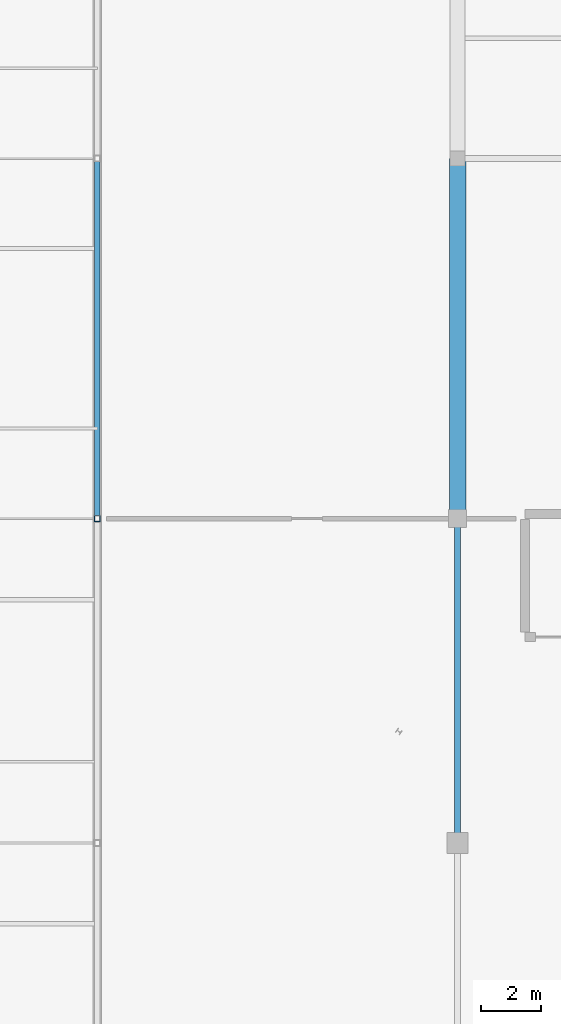
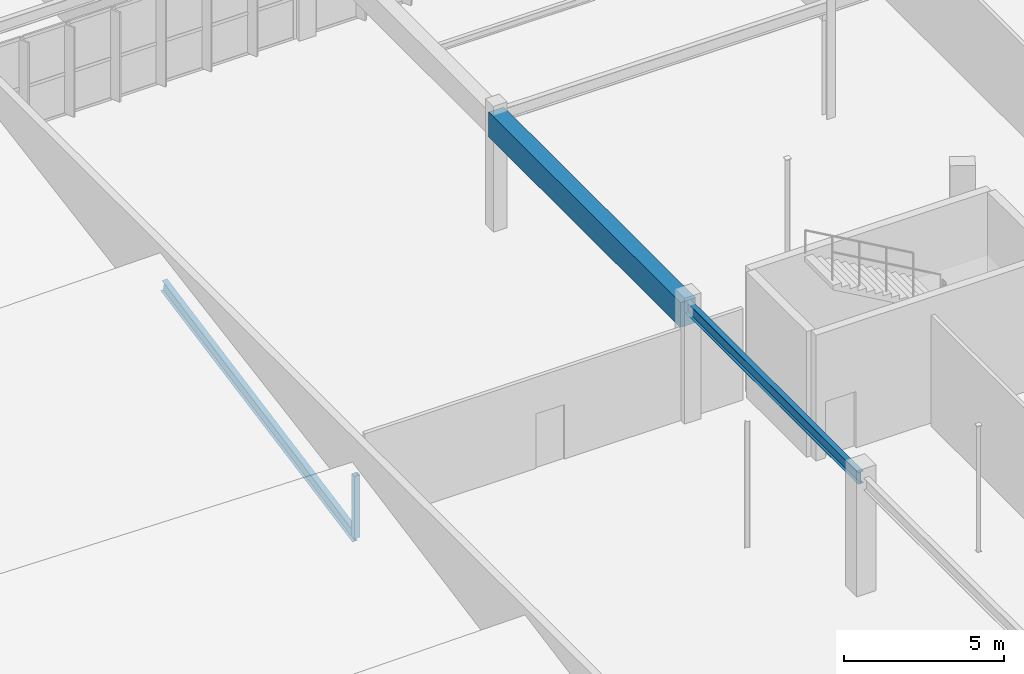
# One storey, part 70 of 226: 2 beams, 2 members.
"""IFC4 building model written with IfcOpenShell, lengths in metres."""

from ifc_helpers import new_model, si_unit, direction, frame, origin, origin_2d, place, context, subcontext, project, spatial, rectangle, hollow_rectangle, i_section, extrude, material, material_profile, profile_set, type_object, element, save


model = new_model("IFC4")

# Units and contexts
model_context = context("Model", 3, precision=1e-05, world=origin(), true_north=direction((0.0, 1.0)))
body_context = subcontext(model_context, "Body", "Model", "MODEL_VIEW")
ifc_project = project(units=[si_unit("LENGTHUNIT", "METRE"), si_unit("AREAUNIT", "SQUARE_METRE"), si_unit("VOLUMEUNIT", "CUBIC_METRE"), si_unit("PLANEANGLEUNIT", "RADIAN"), si_unit("MASSUNIT", "GRAM", prefix="KILO")], contexts=[model_context])

# Site, building, storey
site_placement = place(None, origin())
site = spatial("IfcSite", under=ifc_project, at=site_placement, CompositionType="ELEMENT")
building_placement = place(site_placement, origin())
building = spatial("IfcBuilding", under=site, at=building_placement, Name="Tarnwether General Hospital", CompositionType="ELEMENT")
storey_placement = place(building_placement, frame((0.0, 0.0, 4.800048828125)))
storey = spatial("IfcBuildingStorey", under=building, at=storey_placement, Name="L01", CompositionType="ELEMENT", Elevation=4.800048828125)

# Beams
ifc_material_1 = material(Name="Steel Grade 350 (350 MPa)", Category="steel")
ifc_material_profile_1 = material_profile(ifc_material_1, i_section(OverallWidth=0.18994140625, OverallDepth=0.4541015625, WebThickness=0.008544921875, FlangeThickness=0.0126953125, at=origin_2d()), Name="460UB67.1")
ifc_profile_set_1 = profile_set([ifc_material_profile_1], Name="Steel Grade 350 (350 MPa)")
beam_type_1 = type_object("IfcBeamType", Name="BM-G10", PredefinedType="BEAM", material=ifc_profile_set_1)
beam_1_placement = place(storey_placement, frame((60.0, 10.800048828125, 4.218017578125), z_axis=(0.0, 1.0, 0.0), x_axis=(-1.0, 0.0, 0.0)))
element("IfcBeam", 1, at=beam_1_placement, inside=storey, type_object=beam_type_1, Name="Primary Girder BMG-L01-6000_1080-6000_2160-1120", PredefinedType="BEAM", context=body_context, shape_type="SweptSolid", body=[
    extrude(i_section(OverallWidth=0.18994140625, OverallDepth=0.4541015625, WebThickness=0.008544921875, FlangeThickness=0.0126953125, at=origin_2d()), origin(), (0.0, 0.0, 1.0), 10.800048828125),
])
ifc_material_2 = material(Name="Concrete 40 MPa", Category="concrete")
ifc_material_profile_2 = material_profile(ifc_material_2, rectangle(XDim=0.550048828125, YDim=0.949951171875, at=origin_2d()), Name="RC-BM-550x950")
ifc_profile_set_2 = profile_set([ifc_material_profile_2], Name="Concrete 40 MPa")
beam_type_2 = type_object("IfcBeamType", Name="BM-G11", PredefinedType="BEAM", material=ifc_profile_set_2)
beam_2_placement = place(storey_placement, frame((60.0, 21.60009765625, 3.969970703125), z_axis=(0.0, 1.0, 0.0), x_axis=(-1.0, 0.0, 0.0)))
element("IfcBeam", 2, at=beam_2_placement, inside=storey, type_object=beam_type_2, Name="Primary Girder BMG-L01-6000_2160-6000_3360-1121", PredefinedType="BEAM", context=body_context, shape_type="SweptSolid", body=[
    extrude(rectangle(XDim=0.550048828125, YDim=0.949951171875, at=origin_2d()), origin(), (0.0, 0.0, 1.0), 12.0),
])

# Members
ifc_material_3 = material(Name="Steel Grade C350L0 (350 MPa)", Category="steel")
ifc_material_profile_3 = material_profile(ifc_material_3, hollow_rectangle(XDim=0.199951171875, YDim=0.199951171875, WallThickness=0.010009765625, at=origin_2d()), Name="SHS200x200x10")
ifc_profile_set_3 = profile_set([ifc_material_profile_3], Name="Steel Grade C350L0 (350 MPa)")
member_type_1 = type_object("IfcMemberType", Name="MB-BR8", PredefinedType="BRACE", material=ifc_profile_set_3)
member_1_placement = place(storey_placement, frame((48.0, 21.60009765625, -0.380126953125), z_axis=(0.0, 0.0, 1.0), x_axis=(1.0, 0.0, 0.0)))
element("IfcMember", 3, at=member_1_placement, inside=storey, type_object=member_type_1, Name="Emergency Sawtooth Web Strut 040", PredefinedType="BRACE", context=body_context, shape_type="SweptSolid", body=[
    extrude(hollow_rectangle(XDim=0.199951171875, YDim=0.199951171875, WallThickness=0.010009765625, at=origin_2d()), origin(), (0.0, 0.0, 1.0), 2.380126953125),
])
ifc_material_4 = material(Name="Steel Grade 350 (350 MPa)", Category="steel")
ifc_material_profile_4 = material_profile(ifc_material_4, i_section(OverallWidth=0.18994140625, OverallDepth=0.4541015625, WebThickness=0.008544921875, FlangeThickness=0.0126953125, at=origin_2d()), Name="460UB67.1")
ifc_profile_set_4 = profile_set([ifc_material_profile_4], Name="Steel Grade 350 (350 MPa)")
member_type_2 = type_object("IfcMemberType", Name="MB-RF3", PredefinedType="RAFTER", material=ifc_profile_set_4)
member_2_placement = place(storey_placement, frame((48.0, 21.60009765625, -0.360107421875), z_axis=(0.0, 0.981818178063, 0.189823774132), x_axis=(-1.0, 0.0, 0.0)))
element("IfcMember", 4, at=member_2_placement, inside=storey, type_object=member_type_2, Name="Emergency Sawtooth Rafter 049", PredefinedType="RAFTER", context=body_context, shape_type="SweptSolid", body=[
    extrude(i_section(OverallWidth=0.18994140625, OverallDepth=0.4541015625, WebThickness=0.008544921875, FlangeThickness=0.0126953125, at=origin_2d()), origin(), (0.0, 0.0, 1.0), 12.22216796875),
])

save(model, "model.ifc")
